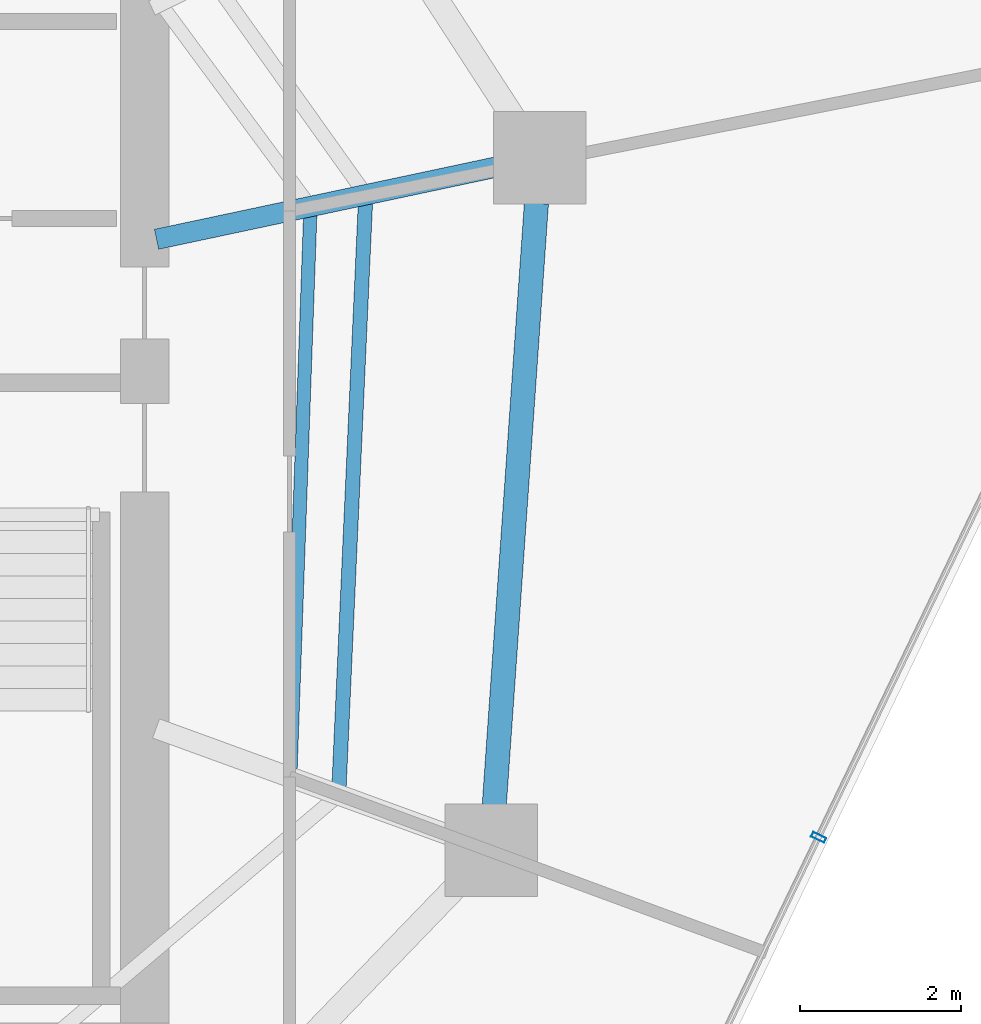
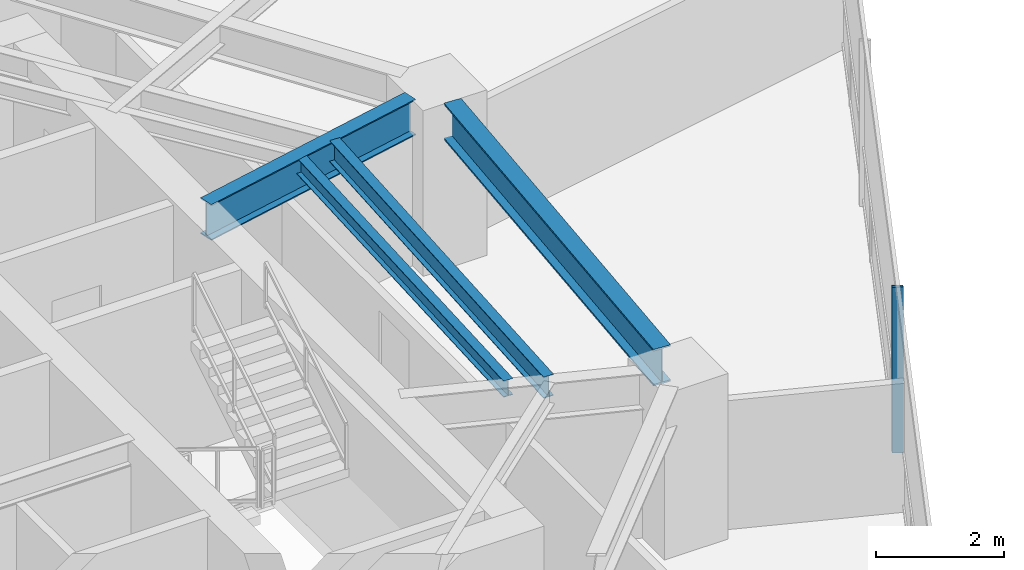
# One storey, part 13 of 30: 4 beams, 1 member, 1 element without a shape of its own.
"""IFC4 building model written with IfcOpenShell, lengths in metres."""

from ifc_helpers import new_model, si_unit, direction, frame, origin, origin_2d, place, context, subcontext, project, spatial, hollow_rectangle, i_section, extrude, material, layer, layer_set, material_profile, profile_set, type_object, element, aggregate, save


model = new_model("IFC4")

# Units and contexts
model_context = context("Model", 3, precision=1e-05, world=origin(), true_north=direction((0.0, 1.0)))
body_context = subcontext(model_context, "Body", "Model", "MODEL_VIEW")
ifc_project = project(units=[si_unit("LENGTHUNIT", "METRE"), si_unit("AREAUNIT", "SQUARE_METRE"), si_unit("VOLUMEUNIT", "CUBIC_METRE"), si_unit("PLANEANGLEUNIT", "RADIAN"), si_unit("MASSUNIT", "GRAM", prefix="KILO")], contexts=[model_context])

# Site, building, storey
site_placement = place(None, origin())
site = spatial("IfcSite", under=ifc_project, at=site_placement, CompositionType="ELEMENT")
building_placement = place(site_placement, origin())
building = spatial("IfcBuilding", under=site, at=building_placement, Name="Qarnah Convention Tower", CompositionType="ELEMENT")
storey_placement = place(building_placement, frame((0.0, 0.0, 83.25)))
storey = spatial("IfcBuildingStorey", under=building, at=storey_placement, Name="L21", CompositionType="ELEMENT", Elevation=83.25)

# Beams
ifc_material_1 = material(Name="Structural steel S355JR", Category="steel")
ifc_material_profile_1 = material_profile(ifc_material_1, i_section(OverallWidth=0.166015625, OverallDepth=0.31201171875, WebThickness=0.007080078125, FlangeThickness=0.010986328125, at=origin_2d()), Name="W310X45")
ifc_profile_set_1 = profile_set([ifc_material_profile_1], Name="Structural steel S355JR")
beam_type_1 = type_object("IfcBeamType", Name="BM-JST-W310", PredefinedType="JOIST", material=ifc_profile_set_1)
beam_1_placement = place(storey_placement, frame((49.412109375, 22.0458984375, 3.013916015625), z_axis=(0.035540465312, 0.999368238101, 0.0), x_axis=(-0.999368238101, 0.035540465312, 0.0)))
element("IfcBeam", 1, at=beam_1_placement, inside=storey, type_object=beam_type_1, Name="L21 joist BM-L21-IJST-09", PredefinedType="JOIST", context=body_context, shape_type="SweptSolid", body=[
    extrude(i_section(OverallWidth=0.166015625, OverallDepth=0.31201171875, WebThickness=0.007080078125, FlangeThickness=0.010986328125, at=origin_2d()), origin(), (0.0, 0.0, 1.0), 6.91748046875),
])
ifc_material_profile_2 = material_profile(ifc_material_1, i_section(OverallWidth=0.177978515625, OverallDepth=0.407958984375, WebThickness=0.008056640625, FlangeThickness=0.012939453125, at=origin_2d()), Name="W410X60")
ifc_profile_set_2 = profile_set([ifc_material_profile_2], Name="Structural steel S355JR")
beam_type_2 = type_object("IfcBeamType", Name="BM-JST-W410", PredefinedType="JOIST", material=ifc_profile_set_2)
beam_2_placement = place(storey_placement, frame((50.014892578125, 21.825927734375, 2.966064453125), z_axis=(0.045166002341, 0.998979495401, 0.0), x_axis=(-0.998979495401, 0.045166002341, 0.0)))
element("IfcBeam", 2, at=beam_2_placement, inside=storey, type_object=beam_type_2, Name="L21 joist BM-L21-SJST-09", PredefinedType="JOIST", context=body_context, shape_type="SweptSolid", body=[
    extrude(i_section(OverallWidth=0.177978515625, OverallDepth=0.407958984375, WebThickness=0.008056640625, FlangeThickness=0.012939453125, at=origin_2d()), origin(), (0.0, 0.0, 1.0), 7.286376953125),
])
ifc_material_profile_3 = material_profile(ifc_material_1, i_section(OverallWidth=0.25390625, OverallDepth=0.68798828125, WebThickness=0.012939453125, FlangeThickness=0.02099609375, at=origin_2d()), Name="W690X152")
ifc_profile_set_3 = profile_set([ifc_material_profile_3], Name="Structural steel S355JR")
beam_type_3 = type_object("IfcBeamType", Name="BM-RAD-W690", PredefinedType="BEAM", material=ifc_profile_set_3)
beam_3_placement = place(storey_placement, frame((47.7470703125, 28.64208984375, 2.825927734375), z_axis=(0.978128480765, 0.20800162287, 0.0), x_axis=(-0.20800162287, 0.978128480765, 0.0)))
element("IfcBeam", 3, at=beam_3_placement, inside=storey, type_object=beam_type_3, Name="L21 beam BM-L21-RAD-01", PredefinedType="BEAM", context=body_context, shape_type="SweptSolid", body=[
    extrude(i_section(OverallWidth=0.25390625, OverallDepth=0.68798828125, WebThickness=0.012939453125, FlangeThickness=0.02099609375, at=origin_2d()), origin(), (0.0, 0.0, 1.0), 4.312255859375),
])
ifc_material_profile_4 = material_profile(ifc_material_1, i_section(OverallWidth=0.300048828125, OverallDepth=0.699951171875, WebThickness=0.01708984375, FlangeThickness=0.031982421875, at=origin_2d()), Name="HEB700")
ifc_profile_set_4 = profile_set([ifc_material_profile_4], Name="Structural steel S355JR")
beam_type_4 = type_object("IfcBeamType", Name="BM-RING-HEB700", PredefinedType="BEAM", material=ifc_profile_set_4)
beam_4_placement = place(storey_placement, frame((51.945068359375, 21.611083984375, 2.820068359375), z_axis=(0.069881623509, 0.997555291047, 0.0), x_axis=(-0.997555291047, 0.069881623509, 0.0)))
element("IfcBeam", 4, at=beam_4_placement, inside=storey, type_object=beam_type_4, Name="L21 beam BM-L21-SPN-09", PredefinedType="BEAM", context=body_context, shape_type="SweptSolid", body=[
    extrude(i_section(OverallWidth=0.300048828125, OverallDepth=0.699951171875, WebThickness=0.01708984375, FlangeThickness=0.031982421875, at=origin_2d()), origin(), (0.0, 0.0, 1.0), 7.497314453125),
])

# Curtain wall, member
ifc_material_2 = material(Name="Tempered Low-E dark glass", Category="glass")
ifc_layer = layer(ifc_material_2, 0.169921875)
ifc_layer_set = layer_set([ifc_layer], Name="Tempered Low-E dark glass")
curtain_wall_type = type_object("IfcCurtainWallType", Name="CWS-02", PredefinedType="NOTDEFINED", material=ifc_layer_set)
curtain_wall_placement = place(storey_placement, origin())
curtain_wall = element("IfcCurtainWall", 5, at=curtain_wall_placement, inside=storey, type_object=curtain_wall_type, Name="L21 unitised curtain wall CW-L21-F1", PredefinedType="NOTDEFINED")
ifc_material_3 = material(Name="Black anodised aluminium", Category="aluminium")
ifc_material_profile_5 = material_profile(ifc_material_3, hollow_rectangle(XDim=0.06494140625, YDim=0.179931640625, WallThickness=0.00390625, at=origin_2d()), Name="MUL-65X180")
ifc_profile_set_5 = profile_set([ifc_material_profile_5], Name="Black anodised aluminium")
member_type = type_object("IfcMemberType", Name="MUL-T2", PredefinedType="MULLION", material=ifc_profile_set_5)
member_placement = place(storey_placement, frame((55.9765625, 21.208984375, 0.0), z_axis=(0.0, 0.0, 1.0), x_axis=(-0.433332348361, -0.901234195903, 0.0)))
member = element("IfcMember", 6, at=member_placement, type_object=member_type, Name="CW-L21-F1 mullion 3", PredefinedType="MULLION", context=body_context, shape_type="SweptSolid", body=[
    extrude(hollow_rectangle(XDim=0.06494140625, YDim=0.179931640625, WallThickness=0.00390625, at=origin_2d()), origin(), (0.0, 0.0, 1.0), 3.169921875),
])
aggregate(curtain_wall, [member])

save(model, "model.ifc")
